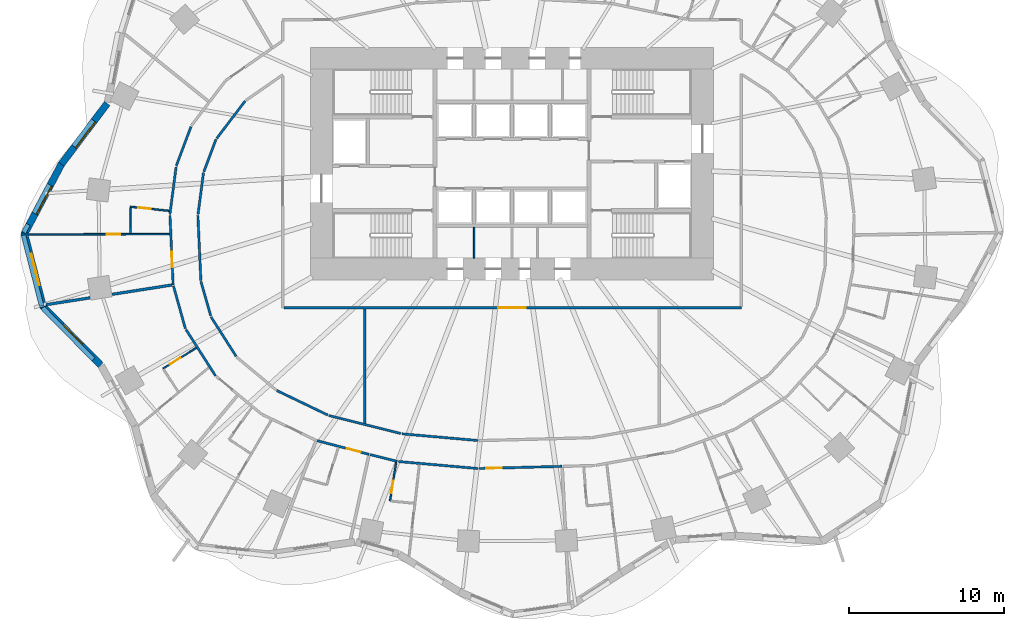
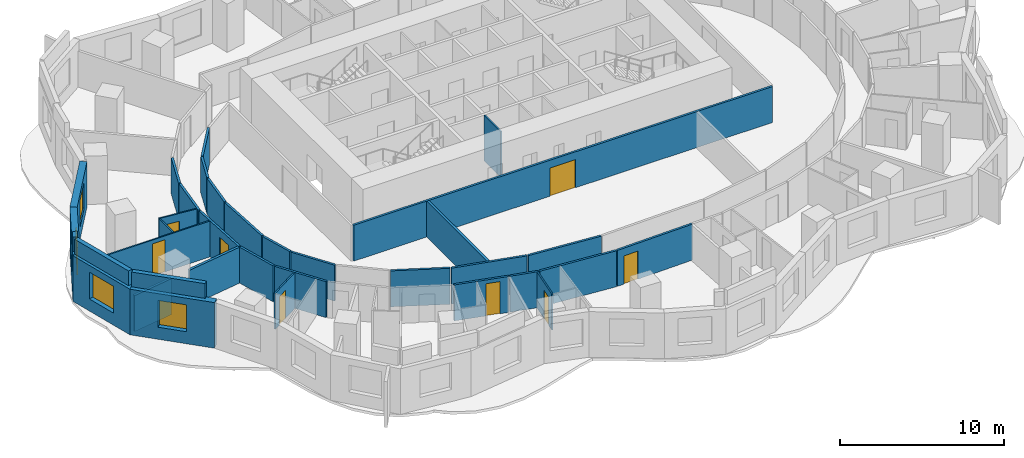
# One storey, part 4 of 11: 35 walls, 8 doors, 4 windows, 12 openings.
"""IFC4 building model written with IfcOpenShell, lengths in metres."""

from ifc_helpers import new_model, si_unit, direction, frame, frame_2d, origin, place, context, subcontext, project, spatial, rectangle, extrude, material, layer, layer_set, type_object, element, fill, save


model = new_model("IFC4")

# Units and contexts
model_context = context("Model", 3, precision=1e-05, world=origin(), true_north=direction((0.0, 1.0)))
body_context = subcontext(model_context, "Body", "Model", "MODEL_VIEW")
ifc_project = project(units=[si_unit("LENGTHUNIT", "METRE"), si_unit("AREAUNIT", "SQUARE_METRE"), si_unit("VOLUMEUNIT", "CUBIC_METRE"), si_unit("PLANEANGLEUNIT", "RADIAN"), si_unit("MASSUNIT", "GRAM", prefix="KILO")], contexts=[model_context])

# Site, building, storey
site_placement = place(None, origin())
site = spatial("IfcSite", under=ifc_project, at=site_placement, CompositionType="ELEMENT")
building_placement = place(site_placement, origin())
building = spatial("IfcBuilding", under=site, at=building_placement, Name="Rubra Terraces Tower", CompositionType="ELEMENT")
storey_placement = place(building_placement, frame((0.0, 0.0, 41.10009765625)))
storey = spatial("IfcBuildingStorey", under=building, at=storey_placement, Name="L07", CompositionType="ELEMENT", Elevation=41.10009765625)

# Walls
ifc_material_1 = material(Name="Twin plasterboard on staggered steel stud, acoustic mineral wool", Category="steel")
ifc_layer_1 = layer(ifc_material_1, 0.175048828125)
ifc_layer_set_1 = layer_set([ifc_layer_1], Name="Twin plasterboard on staggered steel stud, acoustic mineral wool")
wall_type_1 = type_object("IfcWallType", Name="ACOUSTIC PARTY WALL 175", PredefinedType="PARTITIONING", material=ifc_layer_set_1)
wall_1_placement = place(storey_placement, frame((-30.064208984375, -4.597412109375, 0.0), z_axis=(0.0, 0.0, 1.0), x_axis=(0.987947084358, 0.154791984636, 0.0)))
element("IfcWall", 1, at=wall_1_placement, inside=storey, type_object=wall_type_1, Name="PARTITION", PredefinedType="PARTITIONING", context=body_context, shape_type="SweptSolid", body=[
    extrude(rectangle(XDim=2.87060546875, YDim=0.175048828125, at=frame_2d((1.435302734375, 0.0))), origin(), (0.0, 0.0, 1.0), 2.679931640625),
])
wall_2_placement = place(storey_placement, frame((-25.8056640625, -3.93017578125, 0.0), z_axis=(0.0, 0.0, 1.0), x_axis=(0.987945568359, 0.15480166007, 0.0)))
element("IfcWall", 2, at=wall_2_placement, inside=storey, type_object=wall_type_1, Name="PARTITION", PredefinedType="PARTITIONING", context=body_context, shape_type="SweptSolid", body=[
    extrude(rectangle(XDim=3.90966796875, YDim=0.175048828125, at=frame_2d((1.954833984375, 0.0))), origin(), (0.0, 0.0, 1.0), 2.679931640625),
])
wall_3_placement = place(storey_placement, frame((-9.5, -12.256591796875, 0.0), z_axis=(0.0, 0.0, 1.0), x_axis=(0.0, 1.0, 0.0)))
element("IfcWall", 3, at=wall_3_placement, inside=storey, type_object=wall_type_1, Name="PARTITION", PredefinedType="PARTITIONING", context=body_context, shape_type="SweptSolid", body=[
    extrude(rectangle(XDim=7.381591796875, YDim=0.175048828125, at=frame_2d((3.69091796875, 0.0))), origin(), (0.0, 0.0, 1.0), 2.679931640625),
])

# Wall, opening, window
ifc_material_2 = material(Name="Brick masonry red-brown", Category="masonry")
ifc_layer_2 = layer(ifc_material_2, 0.449951171875)
ifc_layer_set_2 = layer_set([ifc_layer_2], Name="Brick masonry red-brown")
wall_type_2 = type_object("IfcWallType", Name="Brick facade wall 450", PredefinedType="SOLIDWALL", material=ifc_layer_set_2)
wall_4_placement = place(storey_placement, frame((-26.126220703125, 8.3837890625, 0.0), z_axis=(0.0, 0.0, 1.0), x_axis=(-0.602408101465, -0.798188248028, 0.0)))
wall_4 = element("IfcWall", 4, at=wall_4_placement, inside=storey, type_object=wall_type_2, Name="Facade wall L07 bay 19", PredefinedType="SOLIDWALL", context=body_context, shape_type="SweptSolid", body=[
    extrude(rectangle(XDim=4.909423828125, YDim=0.449951171875, at=frame_2d((2.45458984375, 0.0))), origin(), (0.0, 0.0, 1.0), 3.39990234375),
])
opening_1_placement = place(wall_4_placement, frame((1.40478515625, 0.0, 0.89990234375)))
opening_1 = element("IfcOpeningElement", 5, at=opening_1_placement, cuts=wall_4, Name="Opening W1", PredefinedType="OPENING", context=body_context, shape_type="SweptSolid", body=[
    extrude(rectangle(XDim=2.10009765625, YDim=2.0, at=frame_2d((1.050048828125, 1.0))), frame((0.0, 0.23486328125, 0.0), z_axis=(0.0, -1.0, 0.0), x_axis=(1.0, 0.0, 0.0)), (0.0, 0.0, 1.0), 0.469970703125),
])
ifc_material_3 = material(Name="Clear glass in aluminium frame", Category="aluminium")
window_type_1 = type_object("IfcWindowType", Name="Fixed deep-set window 2100 x 2000", PartitioningType="SINGLE_PANEL", PredefinedType="WINDOW", material=ifc_material_3)
window_1_placement = place(opening_1_placement, origin())
window_1 = element("IfcWindow", 6, at=window_1_placement, inside=storey, type_object=window_type_1, Name="Window L07 bay 19", OverallHeight=2.0, OverallWidth=2.10009765625, PartitioningType="SINGLE_PANEL", PredefinedType="WINDOW", context=body_context, shape_type="SweptSolid", body=[
    extrude(rectangle(XDim=2.10009765625, YDim=2.0, at=frame_2d((1.050048828125, 1.0))), frame((0.0, 0.135009765625, 0.0), z_axis=(0.0, -1.0, 0.0), x_axis=(1.0, 0.0, 0.0)), (0.0, 0.0, 1.0), 0.06005859375),
])
fill(opening_1, window_1)

wall_5_placement = place(storey_placement, frame((-29.065185546875, 4.4951171875, 0.0), z_axis=(0.0, 0.0, 1.0), x_axis=(-0.469010051546, -0.883192828067, 0.0)))
wall_5 = element("IfcWall", 7, at=wall_5_placement, inside=storey, type_object=wall_type_2, Name="Facade wall L07 bay 20", PredefinedType="SOLIDWALL", context=body_context, shape_type="SweptSolid", body=[
    extrude(rectangle(XDim=5.20556640625, YDim=0.449951171875, at=frame_2d((2.602783203125, 0.0))), origin(), (0.0, 0.0, 1.0), 3.39990234375),
])
opening_2_placement = place(wall_5_placement, frame((1.552734375, 0.0, 0.89990234375)))
opening_2 = element("IfcOpeningElement", 8, at=opening_2_placement, cuts=wall_5, Name="Opening W1", PredefinedType="OPENING", context=body_context, shape_type="SweptSolid", body=[
    extrude(rectangle(XDim=2.10009765625, YDim=2.0, at=frame_2d((1.050048828125, 1.0))), frame((0.0, 0.23486328125, 0.0), z_axis=(0.0, -1.0, 0.0), x_axis=(1.0, 0.0, 0.0)), (0.0, 0.0, 1.0), 0.469970703125),
])
window_2_placement = place(opening_2_placement, origin())
window_2 = element("IfcWindow", 9, at=window_2_placement, inside=storey, type_object=window_type_1, Name="Window L07 bay 20", OverallHeight=2.0, OverallWidth=2.10009765625, PartitioningType="SINGLE_PANEL", PredefinedType="WINDOW", context=body_context, shape_type="SweptSolid", body=[
    extrude(rectangle(XDim=2.10009765625, YDim=2.0, at=frame_2d((1.050048828125, 1.0))), frame((0.0, 0.135009765625, 0.0), z_axis=(0.0, -1.0, 0.0), x_axis=(1.0, 0.0, 0.0)), (0.0, 0.0, 1.0), 0.06005859375),
])
fill(opening_2, window_2)

wall_6_placement = place(storey_placement, frame((-31.489013671875, 0.0556640625, 0.0), z_axis=(0.0, 0.0, 1.0), x_axis=(0.247283399528, -0.968943197674, 0.0)))
wall_6 = element("IfcWall", 10, at=wall_6_placement, inside=storey, type_object=wall_type_2, Name="Facade wall L07 bay 21", PredefinedType="SOLIDWALL", context=body_context, shape_type="SweptSolid", body=[
    extrude(rectangle(XDim=4.98193359375, YDim=0.449951171875, at=frame_2d((2.490966796875, 0.0))), origin(), (0.0, 0.0, 1.0), 3.39990234375),
])
opening_3_placement = place(wall_6_placement, frame((1.44091796875, 0.0, 0.89990234375)))
opening_3 = element("IfcOpeningElement", 11, at=opening_3_placement, cuts=wall_6, Name="Opening W1", PredefinedType="OPENING", context=body_context, shape_type="SweptSolid", body=[
    extrude(rectangle(XDim=2.10009765625, YDim=2.0, at=frame_2d((1.050048828125, 1.0))), frame((0.0, 0.23486328125, 0.0), z_axis=(0.0, -1.0, 0.0), x_axis=(1.0, 0.0, 0.0)), (0.0, 0.0, 1.0), 0.469970703125),
])
window_3_placement = place(opening_3_placement, origin())
window_3 = element("IfcWindow", 12, at=window_3_placement, inside=storey, type_object=window_type_1, Name="Window L07 bay 21", OverallHeight=2.0, OverallWidth=2.10009765625, PartitioningType="SINGLE_PANEL", PredefinedType="WINDOW", context=body_context, shape_type="SweptSolid", body=[
    extrude(rectangle(XDim=2.10009765625, YDim=2.0, at=frame_2d((1.050048828125, 1.0))), frame((0.0, 0.135009765625, 0.0), z_axis=(0.0, -1.0, 0.0), x_axis=(1.0, 0.0, 0.0)), (0.0, 0.0, 1.0), 0.06005859375),
])
fill(opening_3, window_3)

wall_7_placement = place(storey_placement, frame((-30.310791015625, -4.673095703125, 0.0), z_axis=(0.0, 0.0, 1.0), x_axis=(0.701580441607, -0.712590263724, 0.0)))
wall_7 = element("IfcWall", 13, at=wall_7_placement, inside=storey, type_object=wall_type_2, Name="Facade wall L07 bay 22", PredefinedType="SOLIDWALL", context=body_context, shape_type="SweptSolid", body=[
    extrude(rectangle(XDim=5.3662109375, YDim=0.449951171875, at=frame_2d((2.68310546875, 0.0))), origin(), (0.0, 0.0, 1.0), 3.39990234375),
])
opening_4_placement = place(wall_7_placement, frame((1.783203125, 0.0, 0.89990234375)))
opening_4 = element("IfcOpeningElement", 14, at=opening_4_placement, cuts=wall_7, Name="Opening W6", PredefinedType="OPENING", context=body_context, shape_type="SweptSolid", body=[
    extrude(rectangle(XDim=1.800048828125, YDim=2.0, at=frame_2d((0.89990234375, 1.0))), frame((0.0, 0.23486328125, 0.0), z_axis=(0.0, -1.0, 0.0), x_axis=(1.0, 0.0, 0.0)), (0.0, 0.0, 1.0), 0.469970703125),
])
window_type_2 = type_object("IfcWindowType", Name="Fixed deep-set window at wind fin 1800 x 2000", PartitioningType="SINGLE_PANEL", PredefinedType="WINDOW", material=ifc_material_3)
window_4_placement = place(opening_4_placement, origin())
window_4 = element("IfcWindow", 15, at=window_4_placement, inside=storey, type_object=window_type_2, Name="Window L07 bay 22", OverallHeight=2.0, OverallWidth=1.800048828125, PartitioningType="SINGLE_PANEL", PredefinedType="WINDOW", context=body_context, shape_type="SweptSolid", body=[
    extrude(rectangle(XDim=1.800048828125, YDim=2.0, at=frame_2d((0.89990234375, 1.0))), frame((0.0, 0.135009765625, 0.0), z_axis=(0.0, -1.0, 0.0), x_axis=(1.0, 0.0, 0.0)), (0.0, 0.0, 1.0), 0.06005859375),
])
fill(opening_4, window_4)

# Walls
ifc_layer_3 = layer(ifc_material_2, 0.300048828125)
ifc_layer_set_3 = layer_set([ifc_layer_3], Name="Brick masonry red-brown")
wall_type_3 = type_object("IfcWallType", Name="Brick parapet 300", PredefinedType="PARAPET", material=ifc_layer_set_3)
wall_8_placement = place(storey_placement, frame((-31.2265625, 0.584716796875, 3.599853515625), z_axis=(0.0, 0.0, 1.0), x_axis=(-0.469205161074, -0.883089189619, 0.0)))
element("IfcWall", 16, at=wall_8_placement, inside=storey, type_object=wall_type_3, Name="Parapet L07 bay 20", PredefinedType="PARAPET", context=body_context, shape_type="SweptSolid", body=[
    extrude(rectangle(XDim=0.595703125, YDim=0.300048828125, at=frame_2d((0.2978515625, 0.0))), origin(), (0.0, 0.0, 1.0), 1.10009765625),
])
wall_9_placement = place(storey_placement, frame((-31.525634765625, -0.1044921875, 3.599853515625), z_axis=(0.0, 0.0, 1.0), x_axis=(0.247310993439, -0.96893615503, 0.0)))
element("IfcWall", 17, at=wall_9_placement, inside=storey, type_object=wall_type_3, Name="Parapet L07 bay 21", PredefinedType="PARAPET", context=body_context, shape_type="SweptSolid", body=[
    extrude(rectangle(XDim=4.724609375, YDim=0.300048828125, at=frame_2d((2.3623046875, 0.0))), origin(), (0.0, 0.0, 1.0), 1.10009765625),
])
wall_10_placement = place(storey_placement, frame((-30.290283203125, -4.801025390625, 3.599853515625), z_axis=(0.0, 0.0, 1.0), x_axis=(0.701637806996, -0.712533780107, 0.0)))
element("IfcWall", 18, at=wall_10_placement, inside=storey, type_object=wall_type_3, Name="Parapet L07 bay 22", PredefinedType="PARAPET", context=body_context, shape_type="SweptSolid", body=[
    extrude(rectangle(XDim=4.66064453125, YDim=0.300048828125, at=frame_2d((2.330322265625, 0.0))), origin(), (0.0, 0.0, 1.0), 1.10009765625),
])
ifc_material_4 = material(Name="Plasterboard on steel stud, mineral wool infill", Category="steel")
ifc_layer_4 = layer(ifc_material_4, 0.14990234375)
ifc_layer_set_4 = layer_set([ifc_layer_4], Name="Plasterboard on steel stud, mineral wool infill")
wall_type_4 = type_object("IfcWallType", Name="CORRIDOR PARTITION 150", PredefinedType="PARTITIONING", material=ifc_layer_set_4)
wall_11_placement = place(storey_placement, frame((-20.719970703125, 6.884521484375, 0.0), z_axis=(0.0, 0.0, 1.0), x_axis=(-0.351520142875, -0.936180318717, 0.0)))
element("IfcWall", 19, at=wall_11_placement, inside=storey, type_object=wall_type_4, Name="PARTITION", PredefinedType="PARTITIONING", context=body_context, shape_type="SweptSolid", body=[
    extrude(rectangle(XDim=2.697509765625, YDim=0.14990234375, at=frame_2d((1.3486328125, 0.0))), origin(), (0.0, 0.0, 1.0), 2.679931640625),
])
wall_12_placement = place(storey_placement, frame((-21.677978515625, 4.28466796875, 0.0), z_axis=(0.0, 0.0, 1.0), x_axis=(-0.129922755307, -0.991524118543, 0.0)))
element("IfcWall", 20, at=wall_12_placement, inside=storey, type_object=wall_type_4, Name="PARTITION", PredefinedType="PARTITIONING", context=body_context, shape_type="SweptSolid", body=[
    extrude(rectangle(XDim=3.076171875, YDim=0.14990234375, at=frame_2d((1.5380859375, 0.0))), origin(), (0.0, 0.0, 1.0), 2.679931640625),
])

# Wall, opening, door
wall_13_placement = place(storey_placement, frame((-22.07421875, 1.159912109375, 0.0), z_axis=(0.0, 0.0, 1.0), x_axis=(0.045850326789, -0.998948320752, 0.0)))
wall_13 = element("IfcWall", 21, at=wall_13_placement, inside=storey, type_object=wall_type_4, Name="PARTITION", PredefinedType="PARTITIONING", context=body_context, shape_type="SweptSolid", body=[
    extrude(rectangle(XDim=4.47802734375, YDim=0.14990234375, at=frame_2d((2.239013671875, 0.0))), origin(), (0.0, 0.0, 1.0), 2.679931640625),
])
opening_5_placement = place(wall_13_placement, frame((2.343017578125, 0.0, 0.0)))
opening_5 = element("IfcOpeningElement", 22, at=opening_5_placement, cuts=wall_13, Name="Opening 07-118", PredefinedType="OPENING", context=body_context, shape_type="SweptSolid", body=[
    extrude(rectangle(XDim=1.0, YDim=2.10009765625, at=frame_2d((0.5, 1.050048828125))), frame((0.0, 0.0849609375, 0.0), z_axis=(0.0, -1.0, 0.0), x_axis=(1.0, 0.0, 0.0)), (0.0, 0.0, 1.0), 0.169921875),
])
ifc_material_5 = material(Name="Painted timber door leaf", Category="wood")
door_type_1 = type_object("IfcDoorType", Name="ROOM DOOR 1000 X 2100", OperationType="SINGLE_SWING_LEFT", PredefinedType="DOOR", material=ifc_material_5)
door_1_placement = place(opening_5_placement, origin())
door_1 = element("IfcDoor", 23, at=door_1_placement, inside=storey, type_object=door_type_1, Name="DOOR 07-118", OperationType="SINGLE_SWING_RIGHT", OverallHeight=2.10009765625, OverallWidth=1.0, PredefinedType="DOOR", context=body_context, shape_type="SweptSolid", body=[
    extrude(rectangle(XDim=1.0, YDim=2.10009765625, at=frame_2d((0.5, 1.050048828125))), frame((0.0, 0.02490234375, 0.0), z_axis=(0.0, -1.0, 0.0), x_axis=(1.0, 0.0, 0.0)), (0.0, 0.0, 1.0), 0.050048828125),
])
fill(opening_5, door_1)

# Walls
wall_14_placement = place(storey_placement, frame((-21.848876953125, -3.385498046875, 0.0), z_axis=(0.0, 0.0, 1.0), x_axis=(0.268824778417, -0.963189098002, 0.0)))
element("IfcWall", 24, at=wall_14_placement, inside=storey, type_object=wall_type_4, Name="PARTITION", PredefinedType="PARTITIONING", context=body_context, shape_type="SweptSolid", body=[
    extrude(rectangle(XDim=2.857177734375, YDim=0.14990234375, at=frame_2d((1.4287109375, 0.0))), origin(), (0.0, 0.0, 1.0), 2.679931640625),
])
wall_15_placement = place(storey_placement, frame((-21.04052734375, -6.20068359375, 0.0), z_axis=(0.0, 0.0, 1.0), x_axis=(0.537680823918, -0.843148463552, 0.0)))
element("IfcWall", 25, at=wall_15_placement, inside=storey, type_object=wall_type_4, Name="PARTITION", PredefinedType="PARTITIONING", context=body_context, shape_type="SweptSolid", body=[
    extrude(rectangle(XDim=3.54931640625, YDim=0.14990234375, at=frame_2d((1.774658203125, 0.0))), origin(), (0.0, 0.0, 1.0), 2.679931640625),
])

# Wall, opening, door
wall_16_placement = place(storey_placement, frame((-12.567626953125, -13.3740234375, 0.0), z_axis=(0.0, 0.0, 1.0), x_axis=(0.966885838623, -0.255209277007, 0.0)))
wall_16 = element("IfcWall", 26, at=wall_16_placement, inside=storey, type_object=wall_type_4, Name="PARTITION", PredefinedType="PARTITIONING", context=body_context, shape_type="SweptSolid", body=[
    extrude(rectangle(XDim=3.457275390625, YDim=0.14990234375, at=frame_2d((1.728515625, 0.0))), origin(), (0.0, 0.0, 1.0), 2.679931640625),
])
opening_6_placement = place(wall_16_placement, frame((1.990966796875, 0.0, 0.0)))
opening_6 = element("IfcOpeningElement", 27, at=opening_6_placement, cuts=wall_16, Name="Opening 07-126", PredefinedType="OPENING", context=body_context, shape_type="SweptSolid", body=[
    extrude(rectangle(XDim=0.89990234375, YDim=2.39990234375, at=frame_2d((0.449951171875, 1.199951171875))), frame((0.0, 0.0849609375, 0.0), z_axis=(0.0, -1.0, 0.0), x_axis=(1.0, 0.0, 0.0)), (0.0, 0.0, 1.0), 0.169921875),
])
ifc_material_6 = material(Name="Veneered timber door leaf, fire-rated", Category="wood")
door_type_2 = type_object("IfcDoorType", Name="SUITE ENTRANCE DOOR 900 X 2400", OperationType="SINGLE_SWING_LEFT", PredefinedType="DOOR", material=ifc_material_6)
door_2_placement = place(opening_6_placement, origin())
door_2 = element("IfcDoor", 28, at=door_2_placement, inside=storey, type_object=door_type_2, Name="DOOR 07-126", OperationType="SINGLE_SWING_RIGHT", OverallHeight=2.39990234375, OverallWidth=0.89990234375, PredefinedType="DOOR", context=body_context, shape_type="SweptSolid", body=[
    extrude(rectangle(XDim=0.89990234375, YDim=2.39990234375, at=frame_2d((0.449951171875, 1.199951171875))), frame((0.0, 0.02490234375, 0.0), z_axis=(0.0, -1.0, 0.0), x_axis=(1.0, 0.0, 0.0)), (0.0, 0.0, 1.0), 0.050048828125),
])
fill(opening_6, door_2)

# Walls
wall_17_placement = place(storey_placement, frame((-9.152099609375, -14.2744140625, 0.0), z_axis=(0.0, 0.0, 1.0), x_axis=(0.969966784833, -0.243237407323, 0.0)))
element("IfcWall", 29, at=wall_17_placement, inside=storey, type_object=wall_type_4, Name="PARTITION", PredefinedType="PARTITIONING", context=body_context, shape_type="SweptSolid", body=[
    extrude(rectangle(XDim=1.80078125, YDim=0.14990234375, at=frame_2d((0.900390625, 0.0))), origin(), (0.0, 0.0, 1.0), 2.679931640625),
])
wall_18_placement = place(storey_placement, frame((-7.330810546875, -14.718994140625, 0.0), z_axis=(0.0, 0.0, 1.0), x_axis=(0.996139466017, -0.087784760882, 0.0)))
element("IfcWall", 30, at=wall_18_placement, inside=storey, type_object=wall_type_4, Name="PARTITION", PredefinedType="PARTITIONING", context=body_context, shape_type="SweptSolid", body=[
    extrude(rectangle(XDim=5.161865234375, YDim=0.14990234375, at=frame_2d((2.5810546875, 0.0))), origin(), (0.0, 0.0, 1.0), 2.679931640625),
])

# Wall, opening, door
wall_19_placement = place(storey_placement, frame((-2.114013671875, -15.170166015625, 0.0), z_axis=(0.0, 0.0, 1.0), x_axis=(0.99966176809, 0.02600671875, 0.0)))
wall_19 = element("IfcWall", 31, at=wall_19_placement, inside=storey, type_object=wall_type_4, Name="PARTITION", PredefinedType="PARTITIONING", context=body_context, shape_type="SweptSolid", body=[
    extrude(rectangle(XDim=5.350830078125, YDim=0.14990234375, at=frame_2d((2.67529296875, 0.0))), origin(), (0.0, 0.0, 1.0), 2.679931640625),
])
opening_7_placement = place(wall_19_placement, frame((0.449951171875, 0.0, 0.0)))
opening_7 = element("IfcOpeningElement", 32, at=opening_7_placement, cuts=wall_19, Name="Opening 07-129", PredefinedType="OPENING", context=body_context, shape_type="SweptSolid", body=[
    extrude(rectangle(XDim=1.0, YDim=2.10009765625, at=frame_2d((0.5, 1.050048828125))), frame((0.0, 0.0849609375, 0.0), z_axis=(0.0, -1.0, 0.0), x_axis=(1.0, 0.0, 0.0)), (0.0, 0.0, 1.0), 0.169921875),
])
door_3_placement = place(opening_7_placement, origin())
door_3 = element("IfcDoor", 33, at=door_3_placement, inside=storey, type_object=door_type_1, Name="DOOR 07-129", OperationType="SINGLE_SWING_RIGHT", OverallHeight=2.10009765625, OverallWidth=1.0, PredefinedType="DOOR", context=body_context, shape_type="SweptSolid", body=[
    extrude(rectangle(XDim=1.0, YDim=2.10009765625, at=frame_2d((0.5, 1.050048828125))), frame((0.0, 0.02490234375, 0.0), z_axis=(0.0, -1.0, 0.0), x_axis=(1.0, 0.0, 0.0)), (0.0, 0.0, 1.0), 0.050048828125),
])
fill(opening_7, door_3)

# Walls
wall_20_placement = place(storey_placement, frame((-2.207763671875, -13.363525390625, 0.0), z_axis=(0.0, 0.0, 1.0), x_axis=(-0.996134962793, 0.087835846335, 0.0)))
element("IfcWall", 34, at=wall_20_placement, inside=storey, type_object=wall_type_4, Name="PARTITION", PredefinedType="PARTITIONING", context=body_context, shape_type="SweptSolid", body=[
    extrude(rectangle(XDim=4.9169921875, YDim=0.14990234375, at=frame_2d((2.45849609375, 0.0))), origin(), (0.0, 0.0, 1.0), 2.679931640625),
])
wall_21_placement = place(storey_placement, frame((-7.178466796875, -12.91357421875, 0.0), z_axis=(0.0, 0.0, 1.0), x_axis=(-0.969983523639, 0.243170647628, 0.0)))
element("IfcWall", 35, at=wall_21_placement, inside=storey, type_object=wall_type_4, Name="PARTITION", PredefinedType="PARTITIONING", context=body_context, shape_type="SweptSolid", body=[
    extrude(rectangle(XDim=4.7939453125, YDim=0.14990234375, at=frame_2d((2.39697265625, 0.0))), origin(), (0.0, 0.0, 1.0), 2.679931640625),
])
wall_22_placement = place(storey_placement, frame((-11.896240234375, -11.71533203125, 0.0), z_axis=(0.0, 0.0, 1.0), x_axis=(-0.901466605799, 0.432848655571, 0.0)))
element("IfcWall", 36, at=wall_22_placement, inside=storey, type_object=wall_type_4, Name="PARTITION", PredefinedType="PARTITIONING", context=body_context, shape_type="SweptSolid", body=[
    extrude(rectangle(XDim=3.644775390625, YDim=0.14990234375, at=frame_2d((1.822265625, 0.0))), origin(), (0.0, 0.0, 1.0), 2.679931640625),
])
wall_23_placement = place(storey_placement, frame((-17.805419921875, -7.925537109375, 0.0), z_axis=(0.0, 0.0, 1.0), x_axis=(-0.537721158465, 0.843122740613, 0.0)))
element("IfcWall", 37, at=wall_23_placement, inside=storey, type_object=wall_type_4, Name="PARTITION", PredefinedType="PARTITIONING", context=body_context, shape_type="SweptSolid", body=[
    extrude(rectangle(XDim=3.006591796875, YDim=0.14990234375, at=frame_2d((1.50341796875, 0.0))), origin(), (0.0, 0.0, 1.0), 2.679931640625),
])
wall_24_placement = place(storey_placement, frame((-19.44287109375, -5.318603515625, 0.0), z_axis=(0.0, 0.0, 1.0), x_axis=(-0.274791002319, 0.961503980774, 0.0)))
element("IfcWall", 38, at=wall_24_placement, inside=storey, type_object=wall_type_4, Name="PARTITION", PredefinedType="PARTITIONING", context=body_context, shape_type="SweptSolid", body=[
    extrude(rectangle(XDim=2.307373046875, YDim=0.14990234375, at=frame_2d((1.15380859375, 0.0))), origin(), (0.0, 0.0, 1.0), 2.679931640625),
])
wall_25_placement = place(storey_placement, frame((-20.080322265625, -3.025390625, 0.0), z_axis=(0.0, 0.0, 1.0), x_axis=(-0.04581750387, 0.998949826738, 0.0)))
element("IfcWall", 39, at=wall_25_placement, inside=storey, type_object=wall_type_4, Name="PARTITION", PredefinedType="PARTITIONING", context=body_context, shape_type="SweptSolid", body=[
    extrude(rectangle(XDim=4.188232421875, YDim=0.14990234375, at=frame_2d((2.09423828125, 0.0))), origin(), (0.0, 0.0, 1.0), 2.679931640625),
])
wall_26_placement = place(storey_placement, frame((-20.262451171875, 1.23291015625, 0.0), z_axis=(0.0, 0.0, 1.0), x_axis=(0.129897568593, 0.991527418518, 0.0)))
element("IfcWall", 40, at=wall_26_placement, inside=storey, type_object=wall_type_4, Name="PARTITION", PredefinedType="PARTITIONING", context=body_context, shape_type="SweptSolid", body=[
    extrude(rectangle(XDim=2.710205078125, YDim=0.14990234375, at=frame_2d((1.35498046875, 0.0))), origin(), (0.0, 0.0, 1.0), 2.679931640625),
])
wall_27_placement = place(storey_placement, frame((-19.8837890625, 3.990234375, 0.0), z_axis=(0.0, 0.0, 1.0), x_axis=(0.351423736928, 0.936216511884, 0.0)))
element("IfcWall", 41, at=wall_27_placement, inside=storey, type_object=wall_type_4, Name="PARTITION", PredefinedType="PARTITIONING", context=body_context, shape_type="SweptSolid", body=[
    extrude(rectangle(XDim=2.227294921875, YDim=0.14990234375, at=frame_2d((1.11376953125, 0.0))), origin(), (0.0, 0.0, 1.0), 2.679931640625),
])
wall_28_placement = place(storey_placement, frame((-19.0556640625, 6.135009765625, 0.0), z_axis=(0.0, 0.0, 1.0), x_axis=(0.604999774258, 0.796225642107, 0.0)))
element("IfcWall", 42, at=wall_28_placement, inside=storey, type_object=wall_type_4, Name="PARTITION", PredefinedType="PARTITIONING", context=body_context, shape_type="SweptSolid", body=[
    extrude(rectangle(XDim=3.039794921875, YDim=0.14990234375, at=frame_2d((1.52001953125, 0.0))), origin(), (0.0, 0.0, 1.0), 2.679931640625),
])

# Wall, opening, door
wall_29_placement = place(storey_placement, frame((-14.72509765625, -4.800048828125, 0.0), z_axis=(0.0, 0.0, 1.0), x_axis=(1.0, 0.0, 0.0)))
wall_29 = element("IfcWall", 43, at=wall_29_placement, inside=storey, type_object=wall_type_4, Name="PARTITION", PredefinedType="PARTITIONING", context=body_context, shape_type="SweptSolid", body=[
    extrude(rectangle(XDim=29.525146484375, YDim=0.14990234375, at=frame_2d((14.7626953125, 0.0))), origin(), (0.0, 0.0, 1.0), 2.679931640625),
])
opening_8_placement = place(wall_29_placement, frame((13.824951171875, 0.0, 0.0)))
opening_8 = element("IfcOpeningElement", 44, at=opening_8_placement, cuts=wall_29, Name="Opening 07-142", PredefinedType="OPENING", context=body_context, shape_type="SweptSolid", body=[
    extrude(rectangle(XDim=1.800048828125, YDim=2.10009765625, at=frame_2d((0.89990234375, 1.050048828125))), frame((0.0, 0.0849609375, 0.0), z_axis=(0.0, -1.0, 0.0), x_axis=(1.0, 0.0, 0.0)), (0.0, 0.0, 1.0), 0.169921875),
])
ifc_material_7 = material(Name="Painted timber door leaf, double", Category="wood")
door_type_3 = type_object("IfcDoorType", Name="ROOM DOUBLE DOOR 1800 X 2100", OperationType="DOUBLE_DOOR_SINGLE_SWING", PredefinedType="DOOR", material=ifc_material_7)
door_4_placement = place(opening_8_placement, origin())
door_4 = element("IfcDoor", 45, at=door_4_placement, inside=storey, type_object=door_type_3, Name="DOOR 07-142", OperationType="DOUBLE_DOOR_SINGLE_SWING", OverallHeight=2.10009765625, OverallWidth=1.800048828125, PredefinedType="DOOR", context=body_context, shape_type="SweptSolid", body=[
    extrude(rectangle(XDim=1.800048828125, YDim=2.10009765625, at=frame_2d((0.89990234375, 1.050048828125))), frame((0.0, 0.02490234375, 0.0), z_axis=(0.0, -1.0, 0.0), x_axis=(1.0, 0.0, 0.0)), (0.0, 0.0, 1.0), 0.050048828125),
])
fill(opening_8, door_4)

ifc_material_8 = material(Name="Plasterboard on steel stud", Category="steel")
ifc_layer_5 = layer(ifc_material_8, 0.10009765625)
ifc_layer_set_5 = layer_set([ifc_layer_5], Name="Plasterboard on steel stud")
wall_type_5 = type_object("IfcWallType", Name="ROOM PARTITION 100", PredefinedType="PARTITIONING", material=ifc_layer_set_5)
wall_30_placement = place(storey_placement, frame((-31.223388671875, -0.057373046875, 0.0), z_axis=(0.0, 0.0, 1.0), x_axis=(0.999999275952, 0.001203368563, 0.0)))
wall_30 = element("IfcWall", 46, at=wall_30_placement, inside=storey, type_object=wall_type_5, Name="PARTITION", PredefinedType="PARTITIONING", context=body_context, shape_type="SweptSolid", body=[
    extrude(rectangle(XDim=9.129638671875, YDim=0.10009765625, at=frame_2d((4.56494140625, 0.0))), origin(), (0.0, 0.0, 1.0), 2.679931640625),
])
opening_9_placement = place(wall_30_placement, frame((5.054931640625, 0.0, 0.0)))
opening_9 = element("IfcOpeningElement", 47, at=opening_9_placement, cuts=wall_30, Name="Opening 07-117", PredefinedType="OPENING", context=body_context, shape_type="SweptSolid", body=[
    extrude(rectangle(XDim=0.89990234375, YDim=2.39990234375, at=frame_2d((0.449951171875, 1.199951171875))), frame((0.0, 0.06005859375, 0.0), z_axis=(0.0, -1.0, 0.0), x_axis=(1.0, 0.0, 0.0)), (0.0, 0.0, 1.0), 0.1201171875),
])
door_5_placement = place(opening_9_placement, origin())
door_5 = element("IfcDoor", 48, at=door_5_placement, inside=storey, type_object=door_type_2, Name="DOOR 07-117", OperationType="SINGLE_SWING_LEFT", OverallHeight=2.39990234375, OverallWidth=0.89990234375, PredefinedType="DOOR", context=body_context, shape_type="SweptSolid", body=[
    extrude(rectangle(XDim=0.89990234375, YDim=2.39990234375, at=frame_2d((0.449951171875, 1.199951171875))), frame((0.0, 0.02490234375, 0.0), z_axis=(0.0, -1.0, 0.0), x_axis=(1.0, 0.0, 0.0)), (0.0, 0.0, 1.0), 0.050048828125),
])
fill(opening_9, door_5)

wall_31_placement = place(storey_placement, frame((-22.123779296875, 1.458251953125, 0.0), z_axis=(0.0, 0.0, 1.0), x_axis=(-0.994442232467, 0.105283646817, 0.0)))
wall_31 = element("IfcWall", 49, at=wall_31_placement, inside=storey, type_object=wall_type_5, Name="PARTITION", PredefinedType="PARTITIONING", context=body_context, shape_type="SweptSolid", body=[
    extrude(rectangle(XDim=2.525146484375, YDim=0.10009765625, at=frame_2d((1.2626953125, 0.0))), origin(), (0.0, 0.0, 1.0), 2.679931640625),
])
opening_10_placement = place(wall_31_placement, frame((1.199951171875, 0.0, 0.0)))
opening_10 = element("IfcOpeningElement", 50, at=opening_10_placement, cuts=wall_31, Name="Opening 07-116", PredefinedType="OPENING", context=body_context, shape_type="SweptSolid", body=[
    extrude(rectangle(XDim=0.800048828125, YDim=2.10009765625, at=frame_2d((0.39990234375, 1.050048828125))), frame((0.0, 0.06005859375, 0.0), z_axis=(0.0, -1.0, 0.0), x_axis=(1.0, 0.0, 0.0)), (0.0, 0.0, 1.0), 0.1201171875),
])
door_type_4 = type_object("IfcDoorType", Name="BATHROOM DOOR 800 X 2100", OperationType="SINGLE_SWING_LEFT", PredefinedType="DOOR", material=ifc_material_5)
door_6_placement = place(opening_10_placement, origin())
door_6 = element("IfcDoor", 51, at=door_6_placement, inside=storey, type_object=door_type_4, Name="DOOR 07-116", OperationType="SINGLE_SWING_LEFT", OverallHeight=2.10009765625, OverallWidth=0.800048828125, PredefinedType="DOOR", context=body_context, shape_type="SweptSolid", body=[
    extrude(rectangle(XDim=0.800048828125, YDim=2.10009765625, at=frame_2d((0.39990234375, 1.050048828125))), frame((0.0, 0.02490234375, 0.0), z_axis=(0.0, -1.0, 0.0), x_axis=(1.0, 0.0, 0.0)), (0.0, 0.0, 1.0), 0.050048828125),
])
fill(opening_10, door_6)

# Wall
wall_32_placement = place(storey_placement, frame((-24.634521484375, 1.67431640625, 0.0), z_axis=(0.0, 0.0, 1.0), x_axis=(0.009042804114, -0.999959113011, 0.0)))
element("IfcWall", 52, at=wall_32_placement, inside=storey, type_object=wall_type_5, Name="PARTITION", PredefinedType="PARTITIONING", context=body_context, shape_type="SweptSolid", body=[
    extrude(rectangle(XDim=1.673828125, YDim=0.10009765625, at=frame_2d((0.8369140625, 0.0))), origin(), (0.0, 0.0, 1.0), 2.679931640625),
])

# Wall, opening, door
wall_33_placement = place(storey_placement, frame((-20.373046875, -7.38671875, 0.0), z_axis=(0.0, 0.0, 1.0), x_axis=(-0.849158754185, -0.528137681093, 0.0)))
wall_33 = element("IfcWall", 53, at=wall_33_placement, inside=storey, type_object=wall_type_5, Name="PARTITION", PredefinedType="PARTITIONING", context=body_context, shape_type="SweptSolid", body=[
    extrude(rectangle(XDim=2.52490234375, YDim=0.10009765625, at=frame_2d((1.262451171875, 0.0))), origin(), (0.0, 0.0, 1.0), 2.679931640625),
])
opening_11_placement = place(wall_33_placement, frame((1.199951171875, 0.0, 0.0)))
opening_11 = element("IfcOpeningElement", 54, at=opening_11_placement, cuts=wall_33, Name="Opening 07-119", PredefinedType="OPENING", context=body_context, shape_type="SweptSolid", body=[
    extrude(rectangle(XDim=0.800048828125, YDim=2.10009765625, at=frame_2d((0.39990234375, 1.050048828125))), frame((0.0, 0.06005859375, 0.0), z_axis=(0.0, -1.0, 0.0), x_axis=(1.0, 0.0, 0.0)), (0.0, 0.0, 1.0), 0.1201171875),
])
door_7_placement = place(opening_11_placement, origin())
door_7 = element("IfcDoor", 55, at=door_7_placement, inside=storey, type_object=door_type_4, Name="DOOR 07-119", OperationType="SINGLE_SWING_LEFT", OverallHeight=2.10009765625, OverallWidth=0.800048828125, PredefinedType="DOOR", context=body_context, shape_type="SweptSolid", body=[
    extrude(rectangle(XDim=0.800048828125, YDim=2.10009765625, at=frame_2d((0.39990234375, 1.050048828125))), frame((0.0, 0.02490234375, 0.0), z_axis=(0.0, -1.0, 0.0), x_axis=(1.0, 0.0, 0.0)), (0.0, 0.0, 1.0), 0.050048828125),
])
fill(opening_11, door_7)

wall_34_placement = place(storey_placement, frame((-7.476318359375, -14.771484375, 0.0), z_axis=(0.0, 0.0, 1.0), x_axis=(-0.15770012492, -0.98748704832, 0.0)))
wall_34 = element("IfcWall", 56, at=wall_34_placement, inside=storey, type_object=wall_type_5, Name="PARTITION", PredefinedType="PARTITIONING", context=body_context, shape_type="SweptSolid", body=[
    extrude(rectangle(XDim=2.52490234375, YDim=0.10009765625, at=frame_2d((1.262451171875, 0.0))), origin(), (0.0, 0.0, 1.0), 2.679931640625),
])
opening_12_placement = place(wall_34_placement, frame((1.199951171875, 0.0, 0.0)))
opening_12 = element("IfcOpeningElement", 57, at=opening_12_placement, cuts=wall_34, Name="Opening 07-127", PredefinedType="OPENING", context=body_context, shape_type="SweptSolid", body=[
    extrude(rectangle(XDim=0.800048828125, YDim=2.10009765625, at=frame_2d((0.39990234375, 1.050048828125))), frame((0.0, 0.06005859375, 0.0), z_axis=(0.0, -1.0, 0.0), x_axis=(1.0, 0.0, 0.0)), (0.0, 0.0, 1.0), 0.1201171875),
])
door_8_placement = place(opening_12_placement, origin())
door_8 = element("IfcDoor", 58, at=door_8_placement, inside=storey, type_object=door_type_4, Name="DOOR 07-127", OperationType="SINGLE_SWING_LEFT", OverallHeight=2.10009765625, OverallWidth=0.800048828125, PredefinedType="DOOR", context=body_context, shape_type="SweptSolid", body=[
    extrude(rectangle(XDim=0.800048828125, YDim=2.10009765625, at=frame_2d((0.39990234375, 1.050048828125))), frame((0.0, 0.02490234375, 0.0), z_axis=(0.0, -1.0, 0.0), x_axis=(1.0, 0.0, 0.0)), (0.0, 0.0, 1.0), 0.050048828125),
])
fill(opening_12, door_8)

# Wall
ifc_material_9 = material(Name="Blockwork", Category="masonry")
ifc_layer_6 = layer(ifc_material_9, 0.10009765625)
ifc_layer_set_6 = layer_set([ifc_layer_6], Name="Blockwork")
wall_type_6 = type_object("IfcWallType", Name="Service partition 100 blockwork", PredefinedType="PARTITIONING", material=ifc_layer_set_6)
wall_35_placement = place(storey_placement, frame((-2.449951171875, -1.60009765625, 0.0), z_axis=(0.0, 0.0, 1.0), x_axis=(0.0, 1.0, 0.0)))
element("IfcWall", 59, at=wall_35_placement, inside=storey, type_object=wall_type_6, Name="SERVICE ROOM PARTITION L07", PredefinedType="PARTITIONING", context=body_context, shape_type="SweptSolid", body=[
    extrude(rectangle(XDim=2.0, YDim=0.10009765625, at=frame_2d((1.0, 0.0))), origin(), (0.0, 0.0, 1.0), 3.39990234375),
])

save(model, "model.ifc")
